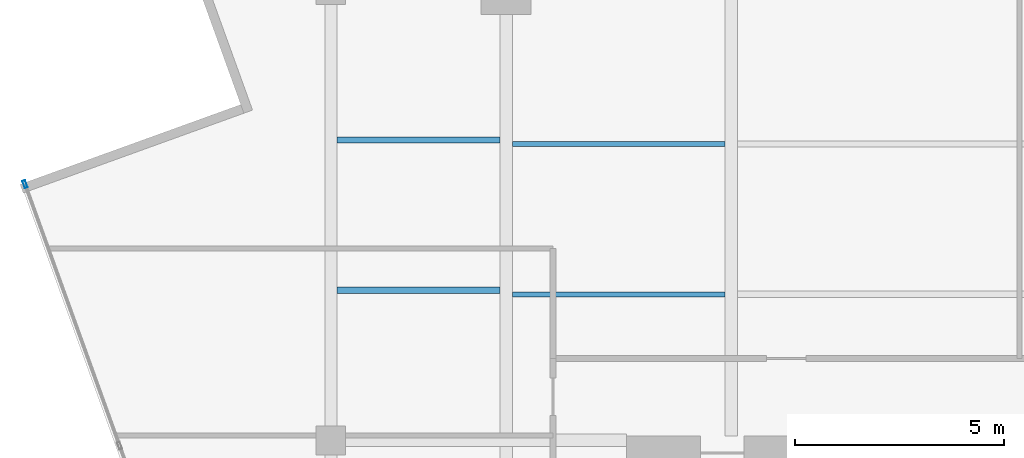
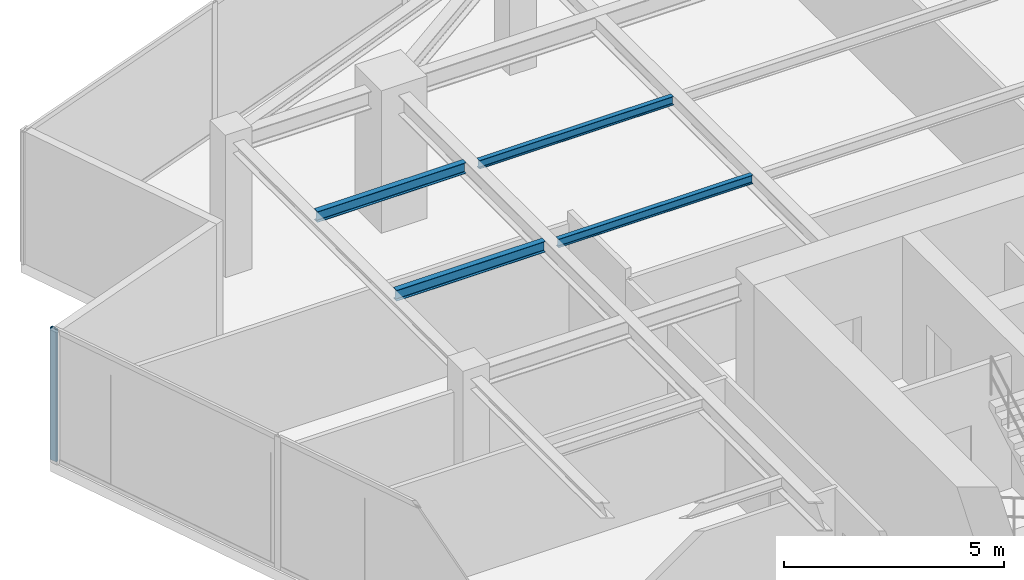
# One storey, part 7 of 21: 4 beams, 1 member, 1 element without a shape of its own.
"""IFC4 building model written with IfcOpenShell, lengths in metres."""

from ifc_helpers import new_model, si_unit, direction, frame, origin, origin_2d, place, context, subcontext, project, spatial, hollow_rectangle, i_section, extrude, source, transform, mapped, material, material_profile, profile_set, type_object, type_shapes, element, aggregate, save


model = new_model("IFC4")

# Units and contexts
model_context = context("Model", 3, precision=1e-05, world=origin(), true_north=direction((0.0, 1.0)))
body_context = subcontext(model_context, "Body", "Model", "MODEL_VIEW")
ifc_project = project(units=[si_unit("LENGTHUNIT", "METRE"), si_unit("AREAUNIT", "SQUARE_METRE"), si_unit("VOLUMEUNIT", "CUBIC_METRE"), si_unit("PLANEANGLEUNIT", "RADIAN"), si_unit("MASSUNIT", "GRAM", prefix="KILO")], contexts=[model_context])

# Site, building, storey
site_placement = place(None, origin())
site = spatial("IfcSite", under=ifc_project, at=site_placement, CompositionType="ELEMENT")
building_placement = place(site_placement, origin())
building = spatial("IfcBuilding", under=site, at=building_placement, Name="Krantzveldt Concourse Tower", CompositionType="ELEMENT")
storey_placement = place(building_placement, frame((0.0, 0.0, 331.64990234375)))
storey = spatial("IfcBuildingStorey", under=building, at=storey_placement, Name="L81", CompositionType="ELEMENT", Elevation=331.64990234375)

# Beams
ifc_material_1 = material(Name="Steel S355JR", Category="steel")
ifc_material_profile_1 = material_profile(ifc_material_1, i_section(OverallWidth=0.1201171875, OverallDepth=0.239990234375, WebThickness=0.006103515625, FlangeThickness=0.009765625, FilletRadius=0.014892578125, at=origin_2d()), Name="Steel S355JR", Category="steel")
ifc_profile_set_1 = profile_set([ifc_material_profile_1], Name="Steel S355JR - IPE 240")
beam_type_1 = type_object("IfcBeamType", Name="BM-LN-IPE240", PredefinedType="LINTEL", material=ifc_profile_set_1)
shared_shape_1 = source(origin(), body_context, "Body", "SweptSolid", [
    extrude(i_section(OverallWidth=0.1201171875, OverallDepth=0.239990234375, WebThickness=0.006103515625, FlangeThickness=0.009765625, FilletRadius=0.014892578125, at=origin_2d()), origin(), (0.0, 0.0, 1.0), 5.099853515625),
])
type_shapes(beam_type_1, [shared_shape_1])
for number, where, z_axis, x_axis, name in (
    (1, (25.35009765625, 30.199951171875, 3.550048828125), (1.0, 0.0, 0.0), (0.0, 1.0, 0.0), "L81 Secondary Floor Joist JN-W1"),
    (2, (25.35009765625, 33.800048828125, 3.550048828125), (1.0, 0.0, 0.0), (0.0, 1.0, 0.0), "L81 Secondary Floor Joist JN-W2"),
):
    element("IfcBeam", number, at=place(storey_placement, frame(where, z_axis=z_axis, x_axis=x_axis)), inside=storey, type_object=beam_type_1, Name=name, PredefinedType="LINTEL", context=body_context, shape_type="MappedRepresentation", body=[
        mapped(shared_shape_1, transform((0.0, 0.0, 0.0), x_axis=(1.0, 0.0, 0.0), y_axis=(0.0, 1.0, 0.0), z_axis=(0.0, 0.0, 1.0), scale=1.0)),
    ])
ifc_material_profile_2 = material_profile(ifc_material_1, i_section(OverallWidth=0.14990234375, OverallDepth=0.300048828125, WebThickness=0.007080078125, FlangeThickness=0.0107421875, FilletRadius=0.014892578125, at=origin_2d()), Name="Steel S355JR", Category="steel")
ifc_profile_set_2 = profile_set([ifc_material_profile_2], Name="Steel S355JR - IPE 300")
beam_type_2 = type_object("IfcBeamType", Name="BM-J-IPE300", PredefinedType="JOIST", material=ifc_profile_set_2)
shared_shape_2 = source(origin(), body_context, "Body", "SweptSolid", [
    extrude(i_section(OverallWidth=0.14990234375, OverallDepth=0.300048828125, WebThickness=0.007080078125, FlangeThickness=0.0107421875, FilletRadius=0.014892578125, at=origin_2d()), origin(), (0.0, 0.0, 1.0), 3.900146484375),
])
type_shapes(beam_type_2, [shared_shape_2])
for number, where, z_axis, x_axis, name in (
    (3, (21.14990234375, 30.300048828125, 3.52001953125), (1.0, 0.0, 0.0), (0.0, 1.0, 0.0), "L81 Secondary Floor Joist JW-3"),
    (4, (21.14990234375, 33.89990234375, 3.52001953125), (1.0, 0.0, 0.0), (0.0, 1.0, 0.0), "L81 Secondary Floor Joist JW-4"),
):
    element("IfcBeam", number, at=place(storey_placement, frame(where, z_axis=z_axis, x_axis=x_axis)), inside=storey, type_object=beam_type_2, Name=name, PredefinedType="JOIST", context=body_context, shape_type="MappedRepresentation", body=[
        mapped(shared_shape_2, transform((0.0, 0.0, 0.0), x_axis=(1.0, 0.0, 0.0), y_axis=(0.0, 1.0, 0.0), z_axis=(0.0, 0.0, 1.0), scale=1.0)),
    ])

# Curtain wall, member
ifc_material_2 = material(Name="Anodised aluminium 6063-T6", Category="aluminium")
curtain_wall_type = type_object("IfcCurtainWallType", Name="CW4", PredefinedType="USERDEFINED", material=ifc_material_2)
curtain_wall_placement = place(storey_placement, origin())
curtain_wall = element("IfcCurtainWall", 5, at=curtain_wall_placement, inside=storey, type_object=curtain_wall_type, Name="CW-L81-F04", ObjectType="UNITISED CURTAIN WALL", PredefinedType="USERDEFINED")
ifc_material_profile_3 = material_profile(ifc_material_2, hollow_rectangle(XDim=0.070068359375, YDim=0.179931640625, WallThickness=0.0048828125, at=origin_2d()), Name="Anodised aluminium 6063-T6", Category="aluminium")
ifc_profile_set_3 = profile_set([ifc_material_profile_3], Name="Anodised aluminium 6063-T6 - ALU-MULL 180x70x5")
member_type = type_object("IfcMemberType", Name="CW-MUL-180", PredefinedType="MULLION", material=ifc_profile_set_3)
shared_shape_3 = source(origin(), body_context, "Body", "SweptSolid", [
    extrude(hollow_rectangle(XDim=0.070068359375, YDim=0.179931640625, WallThickness=0.0048828125, at=origin_2d()), origin(), (0.0, 0.0, 1.0), 3.670166015625),
])
type_shapes(member_type, [shared_shape_3])
member_placement = place(storey_placement, frame((13.672607421875, 32.840087890625, 0.0), z_axis=(0.0, 0.0, 1.0), x_axis=(0.940436624478, 0.339969050563, 0.0)))
member = element("IfcMember", 6, at=member_placement, type_object=member_type, Name="CW-Z56 mullion 1", PredefinedType="MULLION", context=body_context, shape_type="MappedRepresentation", body=[
    mapped(shared_shape_3, transform((0.0, 0.0, 0.0), x_axis=(1.0, 0.0, 0.0), y_axis=(0.0, 1.0, 0.0), z_axis=(0.0, 0.0, 1.0), scale=1.0)),
])
aggregate(curtain_wall, [member])

save(model, "model.ifc")
